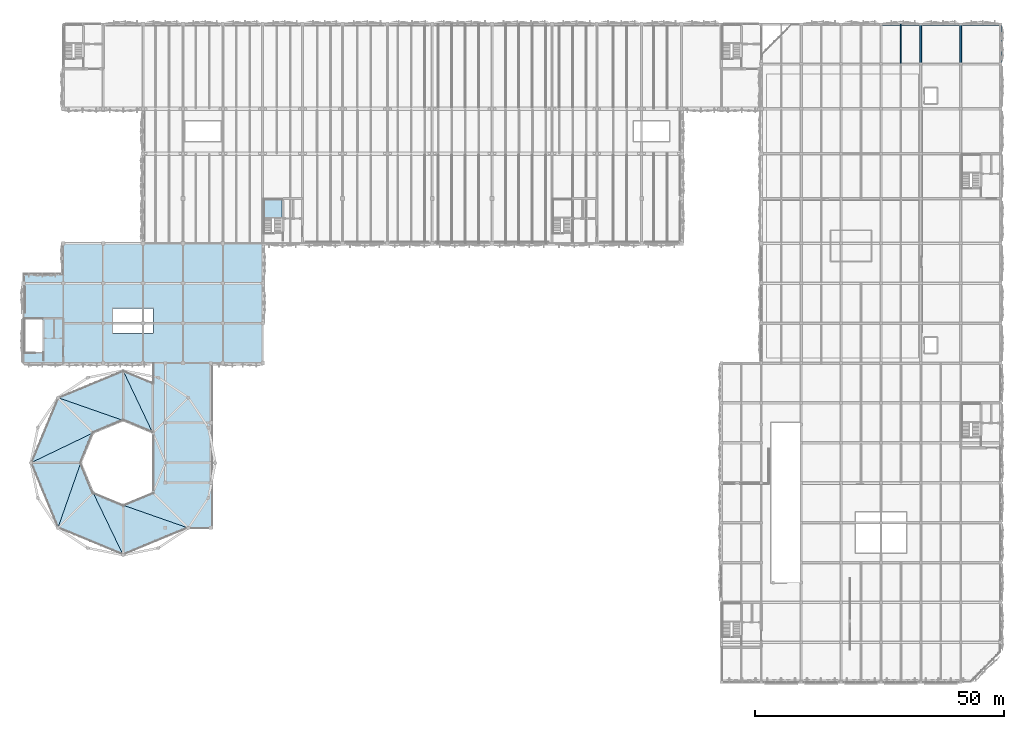
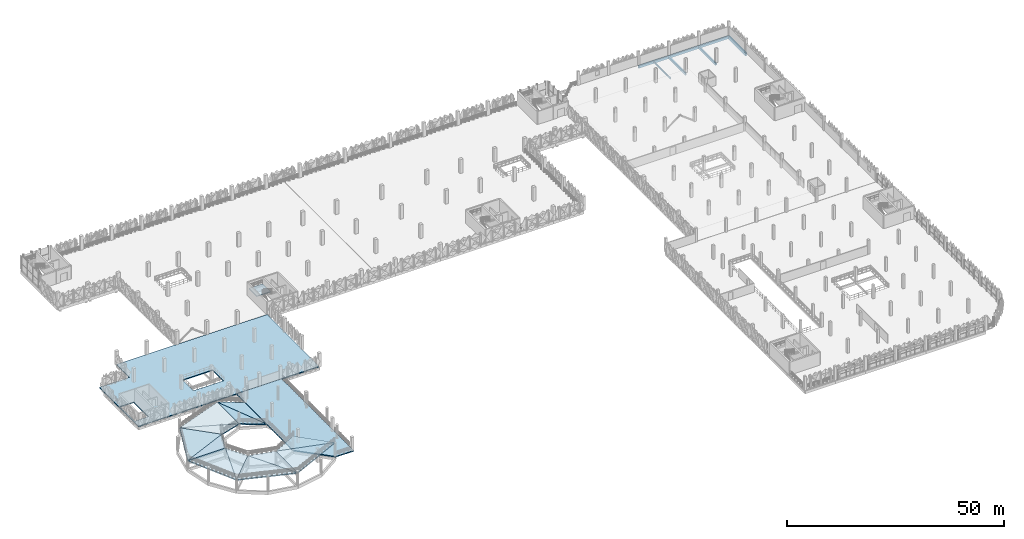
# One storey, part 29 of 83: 15 slabs, 7 beams, 1 element without a shape of its own.
"""IFC4 building model written with IfcOpenShell, lengths in metres."""

from ifc_helpers import new_model, si_unit, derived_unit, direction, frame, origin, origin_2d, place, context, subcontext, project, spatial, polyline, rectangle, outline, extrude, material, layer, layer_set, material_profile, profile_set, type_object, element, aggregate, save


model = new_model("IFC4")

# Units and contexts
model_context = context("Model", 3, precision=1e-05, world=origin(), true_north=direction((0.0, 1.0)))
body_context = subcontext(model_context, "Body", "Model", "MODEL_VIEW")
ifc_project = project(units=[si_unit("LENGTHUNIT", "METRE"), si_unit("AREAUNIT", "SQUARE_METRE"), si_unit("VOLUMEUNIT", "CUBIC_METRE"), si_unit("PLANEANGLEUNIT", "RADIAN"), si_unit("MASSUNIT", "GRAM", prefix="KILO"), si_unit("THERMODYNAMICTEMPERATUREUNIT", "KELVIN"), derived_unit("THERMALTRANSMITTANCEUNIT", [(si_unit("POWERUNIT", "WATT"), 1), (si_unit("AREAUNIT", "SQUARE_METRE"), -1), (si_unit("THERMODYNAMICTEMPERATUREUNIT", "KELVIN"), -1)])], contexts=[model_context])

# Site, building, storey
site_placement = place(None, origin())
site = spatial("IfcSite", under=ifc_project, at=site_placement, CompositionType="ELEMENT")
building_placement = place(site_placement, origin())
building = spatial("IfcBuilding", under=site, at=building_placement, Name="Haiyu Intermodal Mobility Hub", CompositionType="ELEMENT")
storey_placement = place(building_placement, frame((0.0, 0.0, 13.39990234375)))
storey = spatial("IfcBuildingStorey", under=building, at=storey_placement, Name="L03", CompositionType="ELEMENT", Elevation=13.39990234375)

# Beams
ifc_material = material(Name="Concrete C40", Category="concrete")
ifc_material_profile_1 = material_profile(ifc_material, rectangle(XDim=0.39990234375, YDim=0.800048828125, at=origin_2d()), Name="RCB400x800")
ifc_profile_set_1 = profile_set([ifc_material_profile_1], Name="Concrete C40")
beam_type_1 = type_object("IfcBeamType", Name="BM-CB05", PredefinedType="BEAM", material=ifc_profile_set_1)
beam_1_placement = place(storey_placement, frame((210.0, 140.0, -0.659912109375), z_axis=(0.0, 1.0, 0.0), x_axis=(-1.0, 0.0, 0.0)))
element("IfcBeam", 1, at=beam_1_placement, inside=storey, type_object=beam_type_1, Name="BM-V6T-L03-056", PredefinedType="BEAM", context=body_context, shape_type="SweptSolid", body=[
    extrude(rectangle(XDim=0.39990234375, YDim=0.800048828125, at=origin_2d()), origin(), (0.0, 0.0, 1.0), 8.0),
])
ifc_material_profile_2 = material_profile(ifc_material, rectangle(XDim=0.3798828125, YDim=0.679931640625, at=origin_2d()), Name="B380x680")
ifc_profile_set_2 = profile_set([ifc_material_profile_2], Name="Concrete C40")
beam_type_2 = type_object("IfcBeamType", Name="BM-CB15-EXT", PredefinedType="BEAM", material=ifc_profile_set_2)
for number, where, z_axis, x_axis, name in (
    (2, (186.0, 148.0, -0.599853515625), (1.0, 0.0, 0.0), (0.0, 1.0, 0.0), "BM-V6G-L03-052"),
    (3, (194.0, 148.0, -0.599853515625), (1.0, 0.0, 0.0), (0.0, 1.0, 0.0), "BM-V6G-L03-053"),
    (4, (202.0, 148.0, -0.599853515625), (1.0, 0.0, 0.0), (0.0, 1.0, 0.0), "BM-V6G-L03-054"),
):
    element("IfcBeam", number, at=place(storey_placement, frame(where, z_axis=z_axis, x_axis=x_axis)), inside=storey, type_object=beam_type_2, Name=name, PredefinedType="BEAM", context=body_context, shape_type="SweptSolid", body=[
        extrude(rectangle(XDim=0.3798828125, YDim=0.679931640625, at=origin_2d()), origin(), (0.0, 0.0, 1.0), 8.0),
    ])
ifc_material_profile_3 = material_profile(ifc_material, rectangle(XDim=0.360107421875, YDim=0.6201171875, at=origin_2d()), Name="B360x620")
ifc_profile_set_3 = profile_set([ifc_material_profile_3], Name="Concrete C40")
beam_type_3 = type_object("IfcBeamType", Name="BM-CB16", PredefinedType="BEAM", material=ifc_profile_set_3)
for number, where, z_axis, x_axis, name in (
    (5, (194.0, 140.0, -0.56982421875), (0.0, 1.0, 0.0), (-1.0, 0.0, 0.0), "BM-V6T-L03-040"),
    (6, (202.0, 140.0, -0.56982421875), (0.0, 1.0, 0.0), (-1.0, 0.0, 0.0), "BM-V6T-L03-048"),
):
    element("IfcBeam", number, at=place(storey_placement, frame(where, z_axis=z_axis, x_axis=x_axis)), inside=storey, type_object=beam_type_3, Name=name, PredefinedType="BEAM", context=body_context, shape_type="SweptSolid", body=[
        extrude(rectangle(XDim=0.360107421875, YDim=0.6201171875, at=origin_2d()), origin(), (0.0, 0.0, 1.0), 8.0),
    ])
ifc_material_profile_4 = material_profile(ifc_material, rectangle(XDim=0.239990234375, YDim=0.43994140625, at=origin_2d()), Name="B240x440")
ifc_profile_set_4 = profile_set([ifc_material_profile_4], Name="Concrete C40")
beam_type_4 = type_object("IfcBeamType", Name="BM-CB19", PredefinedType="JOIST", material=ifc_profile_set_4)
beam_2_placement = place(storey_placement, frame((190.0, 140.175048828125, -0.47998046875), z_axis=(0.0, 1.0, 0.0), x_axis=(-1.0, 0.0, 0.0)))
element("IfcBeam", 7, at=beam_2_placement, inside=storey, type_object=beam_type_4, Name="BM-V6J-L03-030", PredefinedType="JOIST", context=body_context, shape_type="SweptSolid", body=[
    extrude(rectangle(XDim=0.239990234375, YDim=0.43994140625, at=origin_2d()), origin(), (0.0, 0.0, 1.0), 7.824951171875),
])

# Slab
ifc_layer_1 = layer(ifc_material, 0.219970703125)
ifc_layer_set_1 = layer_set([ifc_layer_1], Name="Concrete C40")
slab_type_1 = type_object("IfcSlabType", Name="SLB-SL04", PredefinedType="FLOOR", material=ifc_layer_set_1)
slab_1_placement = place(storey_placement, frame((0.0, 0.0, -0.264892578125)))
element("IfcSlab", 8, at=slab_1_placement, inside=storey, type_object=slab_type_1, Name="L03 West Mobility Connector Deck", PredefinedType="FLOOR", context=body_context, shape_type="SweptSolid", body=[
    extrude(outline(polyline([(14.0, 80.0), (61.9599609375, 80.0), (61.9599609375, 103.97998046875), (22.0, 103.97998046875), (22.0, 98.0), (14.0, 98.0), (14.0, 80.0)]), holes=[polyline([(14.219970703125, 82.14990234375), (17.85009765625, 82.14990234375), (17.85009765625, 88.949951171875), (14.219970703125, 88.949951171875), (14.219970703125, 82.14990234375)]), polyline([(32.0, 86.0), (40.0, 86.0), (40.0, 91.0), (32.0, 91.0), (32.0, 86.0)])]), origin(), (0.0, 0.0, 1.0), 0.264892578125),
])

# Stair, slab
stair_type = type_object("IfcStairType", Name="STR-ST02", PredefinedType="HALF_TURN_STAIR", material=ifc_material)
stair_placement = place(storey_placement, origin())
stair = element("IfcStair", 9, at=stair_placement, inside=storey, type_object=stair_type, Name="Exit Stair ST01 L03", PredefinedType="HALF_TURN_STAIR")
ifc_layer_2 = layer(ifc_material, 0.2099609375)
ifc_layer_set_2 = layer_set([ifc_layer_2], Name="Concrete C40")
slab_type_2 = type_object("IfcSlabType", Name="SLB-SL13", PredefinedType="LANDING", material=ifc_layer_set_2)
slab_2_placement = place(storey_placement, frame((0.0, 0.0, 1.739990234375)))
slab_2 = element("IfcSlab", 10, at=slab_2_placement, type_object=slab_type_2, Name="Stair Half-Landing STR-C5-L03-LND", PredefinedType="LANDING", context=body_context, shape_type="SweptSolid", body=[
    extrude(outline(polyline([(62.219970703125, 109.1298828125), (65.8701171875, 109.1298828125), (65.8701171875, 112.780029296875), (62.219970703125, 112.780029296875), (62.219970703125, 109.1298828125)])), origin(), (0.0, 0.0, 1.0), 0.210205078125),
])
aggregate(stair, [slab_2])

# Slabs
ifc_layer_3 = layer(ifc_material, 0.27001953125)
ifc_layer_set_3 = layer_set([ifc_layer_3], Name="Concrete C40")
slab_type_3 = type_object("IfcSlabType", Name="SLB-SL14", PredefinedType="USERDEFINED", material=ifc_layer_set_3)
slab_3_placement = place(storey_placement, frame((0.0, 0.0, -0.27001953125)))
element("IfcSlab", 11, at=slab_3_placement, inside=storey, type_object=slab_type_3, Name="L03 Helical Ramp Arrival Deck", ObjectType="RAMP DECK", PredefinedType="USERDEFINED", context=body_context, shape_type="SweptSolid", body=[
    extrude(outline(polyline([(39.949951171875, 53.85009765625), (47.14990234375, 46.800048828125), (52.0, 46.800048828125), (52.0, 80.0), (40.0, 80.0), (39.949951171875, 53.85009765625)])), origin(), (0.0, 0.0, 1.0), 0.27001953125),
])
ifc_layer_4 = layer(ifc_material, 0.280029296875)
ifc_layer_set_4 = layer_set([ifc_layer_4], Name="Concrete C40")
slab_type_4 = type_object("IfcSlabType", Name="SLB-SL16", PredefinedType="USERDEFINED", material=ifc_layer_set_4)
slab_4_placement = place(storey_placement, frame((39.89990234375, 66.055908203125, 0.0), z_axis=(0.109533109425, 0.0, 0.993983147714), x_axis=(0.0, 1.0, 0.0)))
element("IfcSlab", 12, at=slab_4_placement, inside=storey, type_object=slab_type_4, Name="Structural Vehicle Ramp Slab L03-01-1", ObjectType="RAMP DECK", PredefinedType="USERDEFINED", context=body_context, shape_type="SweptSolid", body=[
    extrude(outline(polyline([(0.0, 0.0), (10.0, 0.0), (12.444091796875, 5.935616068861927), (0.0, 0.0)])), origin(), (0.0, 0.0, -1.0), 0.280029296875),
])
slab_5_placement = place(storey_placement, frame((39.89990234375, 66.055908203125, 0.0), z_axis=(0.109533109425, 0.0, 0.993983147714), x_axis=(-0.427925987944, 0.902582782896, 0.047155793507)))
element("IfcSlab", 13, at=slab_5_placement, inside=storey, type_object=slab_type_4, Name="Structural Vehicle Ramp Slab L03-01-2", ObjectType="RAMP DECK", PredefinedType="USERDEFINED", context=body_context, shape_type="SweptSolid", body=[
    extrude(outline(polyline([(0.0, 0.0), (13.787202717229613, -1.8041124150158794e-16), (4.761374888264823, 4.305163411751608), (0.0, 0.0)])), origin(), (0.0, 0.0, -1.0), 0.280029296875),
])
slab_6_placement = place(storey_placement, frame((34.0, 68.5, 0.650146484375), z_axis=(0.049621512991, 0.0, 0.998768093928), x_axis=(0.0, 1.0, 0.0)))
element("IfcSlab", 14, at=slab_6_placement, inside=storey, type_object=slab_type_4, Name="Structural Vehicle Ramp Slab L03-02-1", ObjectType="RAMP DECK", PredefinedType="USERDEFINED", context=body_context, shape_type="SweptSolid", body=[
    extrude(outline(polyline([(0.0, 0.0), (10.0, 0.0), (4.5810546875, 13.097189194395012), (0.0, 0.0)])), origin(), (0.0, 0.0, -1.0), 0.280029296875),
])
slab_7_placement = place(storey_placement, frame((34.0, 68.5, 0.650146484375), z_axis=(0.076016001595, 0.076016001595, 0.994204775186), x_axis=(-0.942762061819, 0.330160271145, 0.046838981123)))
element("IfcSlab", 15, at=slab_7_placement, inside=storey, type_object=slab_type_4, Name="Structural Vehicle Ramp Slab L03-02-2", ObjectType="RAMP DECK", PredefinedType="USERDEFINED", context=body_context, shape_type="SweptSolid", body=[
    extrude(outline(polyline([(0.0, 0.0), (13.875245109317643, 2.0816681711721685e-16), (4.874354110871246, 4.356984485677573), (0.0, 0.0)])), origin(), (0.0, 0.0, -1.0), 0.280029296875),
])
slab_8_placement = place(storey_placement, frame((27.989990234375, 66.010009765625, 1.300048828125), z_axis=(0.035099730578, 0.035099730578, 0.998767249076), x_axis=(-0.707106781187, 0.707106781187, 0.0)))
element("IfcSlab", 16, at=slab_8_placement, inside=storey, type_object=slab_type_4, Name="Structural Vehicle Ramp Slab L03-03-1", ObjectType="RAMP DECK", PredefinedType="USERDEFINED", context=body_context, shape_type="SweptSolid", body=[
    extrude(outline(polyline([(0.0, 0.0), (9.999967628665027, 0.0), (4.582038131409509, 13.097621557028786), (0.0, 0.0)])), origin(), (0.0, 0.0, -1.0), 0.280029296875),
])
slab_9_placement = place(storey_placement, frame((27.989990234375, 66.010009765625, 1.300048828125), z_axis=(0.0, 0.107549814878, 0.994199696902), x_axis=(-0.900116033999, -0.433123329404, 0.046854101889)))
element("IfcSlab", 17, at=slab_9_placement, inside=storey, type_object=slab_type_4, Name="Structural Vehicle Ramp Slab L03-03-2", ObjectType="RAMP DECK", PredefinedType="USERDEFINED", context=body_context, shape_type="SweptSolid", body=[
    extrude(outline(polyline([(0.0, 0.0), (13.87597794351216, 8.326672684688674e-17), (4.874817603519826, 4.356502327986193), (0.0, 0.0)])), origin(), (0.0, 0.0, -1.0), 0.280029296875),
])
slab_10_placement = place(storey_placement, frame((25.5, 60.0, 1.9501953125), z_axis=(0.0, 0.049621512991, 0.998768093928), x_axis=(-1.0, 0.0, 0.0)))
element("IfcSlab", 18, at=slab_10_placement, inside=storey, type_object=slab_type_4, Name="Structural Vehicle Ramp Slab L03-04-1", ObjectType="RAMP DECK", PredefinedType="USERDEFINED", context=body_context, shape_type="SweptSolid", body=[
    extrude(outline(polyline([(0.0, 0.0), (10.0, 0.0), (4.5810546875, 13.097189194395012), (0.0, 0.0)])), origin(), (0.0, 0.0, -1.0), 0.280029296875),
])
slab_11_placement = place(storey_placement, frame((25.5, 60.0, 1.9501953125), z_axis=(-0.076016001595, 0.076016001595, 0.994204775186), x_axis=(-0.330160271145, -0.942762061819, 0.046838981123)))
element("IfcSlab", 19, at=slab_11_placement, inside=storey, type_object=slab_type_4, Name="Structural Vehicle Ramp Slab L03-04-2", ObjectType="RAMP DECK", PredefinedType="USERDEFINED", context=body_context, shape_type="SweptSolid", body=[
    extrude(outline(polyline([(0.0, 0.0), (13.875245109317643, 2.0816681711721685e-16), (4.874354110871246, 4.356984485677573), (0.0, 0.0)])), origin(), (0.0, 0.0, -1.0), 0.280029296875),
])
slab_12_placement = place(storey_placement, frame((27.989990234375, 53.989990234375, 2.60009765625), z_axis=(-0.035086582514, 0.035086582514, 0.998768173029), x_axis=(-0.707106781187, -0.707106781187, 0.0)))
element("IfcSlab", 20, at=slab_12_placement, inside=storey, type_object=slab_type_4, Name="Structural Vehicle Ramp Slab L03-05-1", ObjectType="RAMP DECK", PredefinedType="USERDEFINED", context=body_context, shape_type="SweptSolid", body=[
    extrude(outline(polyline([(0.0, 0.0), (9.999967628665027, 0.0), (4.582038131409509, 13.097609440520504), (0.0, 0.0)])), origin(), (0.0, 0.0, -1.0), 0.280029296875),
])
slab_13_placement = place(storey_placement, frame((27.989990234375, 53.989990234375, 2.60009765625), z_axis=(-0.107509895057, 0.0, 0.994204014508), x_axis=(0.433123686392, -0.900116775893, 0.046836546012)))
element("IfcSlab", 21, at=slab_13_placement, inside=storey, type_object=slab_type_4, Name="Structural Vehicle Ramp Slab L03-05-2", ObjectType="RAMP DECK", PredefinedType="USERDEFINED", context=body_context, shape_type="SweptSolid", body=[
    extrude(outline(polyline([(0.0, 0.0), (13.87596650666549, 7.077671781985373e-16), (4.874798747738369, 4.356486999366682), (0.0, 0.0)])), origin(), (0.0, 0.0, -1.0), 0.280029296875),
])
slab_14_placement = place(storey_placement, frame((34.0, 51.5, 3.25), z_axis=(-0.049640107755, 0.0, 0.998767169916), x_axis=(0.0, -1.0, 0.0)))
element("IfcSlab", 22, at=slab_14_placement, inside=storey, type_object=slab_type_4, Name="Structural Vehicle Ramp Slab L03-06-1", ObjectType="RAMP DECK", PredefinedType="USERDEFINED", context=body_context, shape_type="SweptSolid", body=[
    extrude(outline(polyline([(0.0, 0.0), (10.0, 0.0), (4.5810546875, 13.097201311292077), (0.0, 0.0)])), origin(), (0.0, 0.0, -1.0), 0.280029296875),
])
slab_15_placement = place(storey_placement, frame((34.0, 51.5, 3.25), z_axis=(-0.076044227368, -0.076044227368, 0.994200458141), x_axis=(0.942761284695, -0.330159998993, 0.046856537909)))
element("IfcSlab", 23, at=slab_15_placement, inside=storey, type_object=slab_type_4, Name="Structural Vehicle Ramp Slab L03-06-2", ObjectType="RAMP DECK", PredefinedType="USERDEFINED", context=body_context, shape_type="SweptSolid", body=[
    extrude(outline(polyline([(0.0, 0.0), (13.875256546758933, -1.249000902703301e-16), (4.874372967790654, 4.356999813198027), (0.0, 0.0)])), origin(), (0.0, 0.0, -1.0), 0.280029296875),
])

save(model, "model.ifc")
